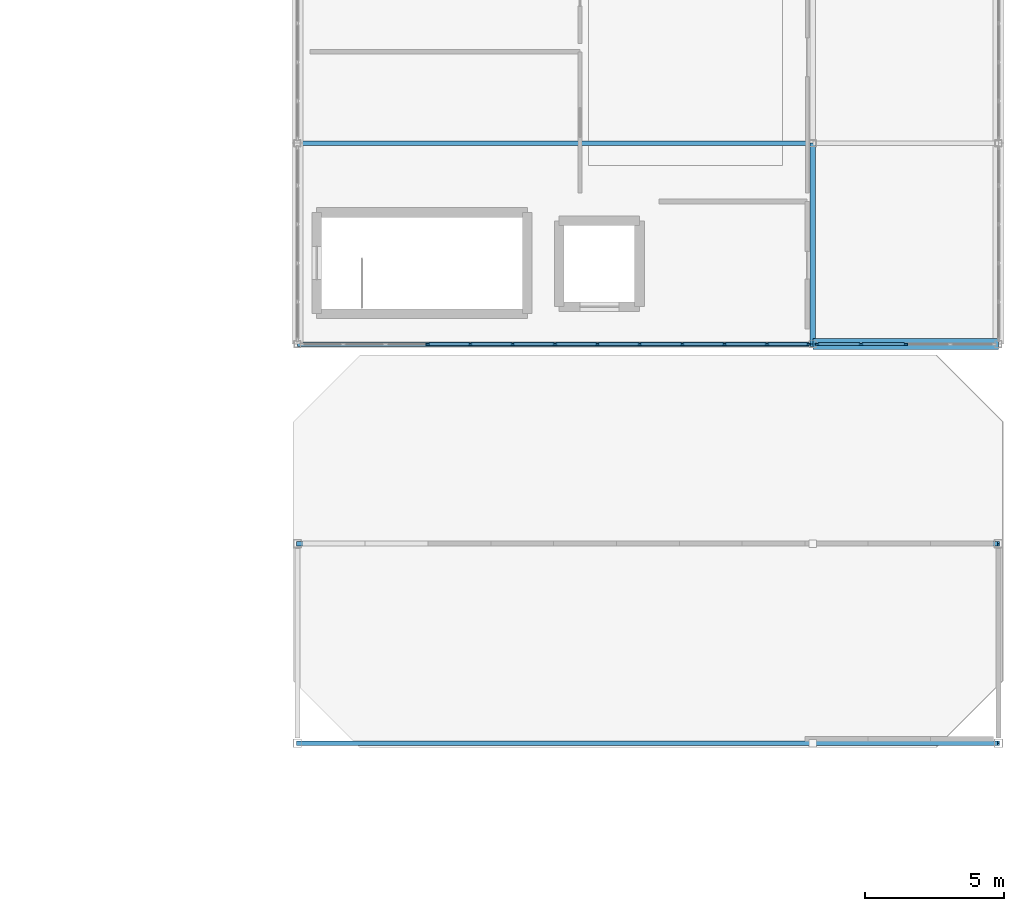
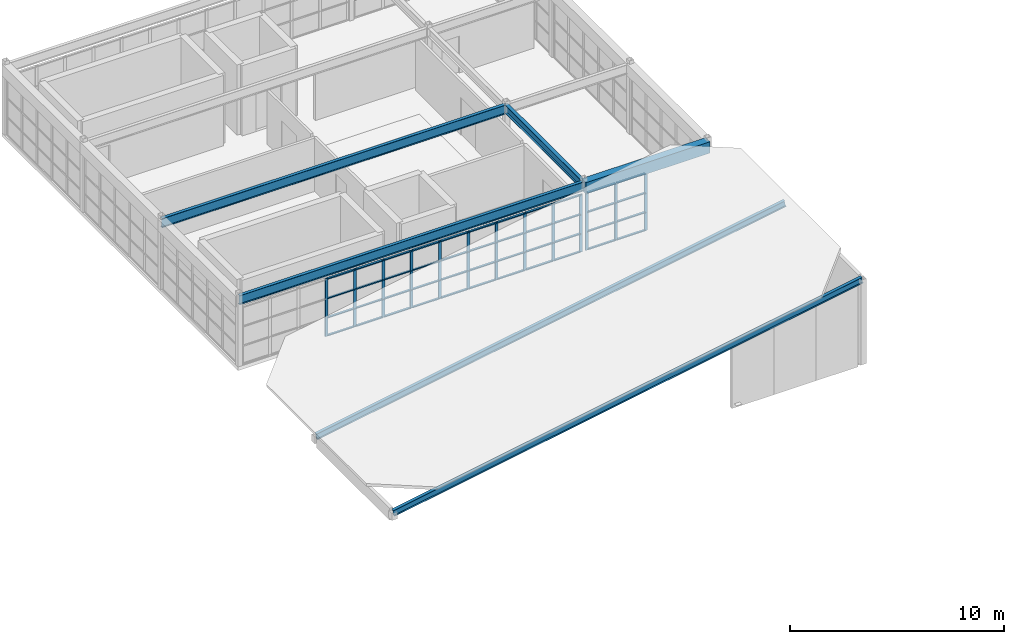
# One storey, part 10 of 19: 59 members, 4 beams, 2 elements without a shape of their own.
"""IFC4 building model written with IfcOpenShell, lengths in metres."""

from ifc_helpers import new_model, si_unit, direction, frame, origin, origin_2d, place, context, subcontext, project, spatial, rectangle, i_section, extrude, material, layer, layer_set, material_profile, profile_set, type_object, element, aggregate, save


model = new_model("IFC4")

# Units and contexts
model_context = context("Model", 3, precision=1e-05, world=origin(), true_north=direction((0.0, 1.0)))
body_context = subcontext(model_context, "Body", "Model", "MODEL_VIEW")
ifc_project = project(units=[si_unit("LENGTHUNIT", "METRE"), si_unit("AREAUNIT", "SQUARE_METRE"), si_unit("VOLUMEUNIT", "CUBIC_METRE"), si_unit("PLANEANGLEUNIT", "RADIAN"), si_unit("MASSUNIT", "GRAM", prefix="KILO")], contexts=[model_context])

# Site, building, storey
site_placement = place(None, origin())
site = spatial("IfcSite", under=ifc_project, at=site_placement, CompositionType="ELEMENT")
building_placement = place(site_placement, origin())
building = spatial("IfcBuilding", under=site, at=building_placement, Name="Candilejo Ridge Gondola Terminal", CompositionType="ELEMENT")
storey_placement = place(building_placement, frame((0.0, 0.0, 22.800048828125)))
storey = spatial("IfcBuildingStorey", under=building, at=storey_placement, Name="L05", CompositionType="ELEMENT", Elevation=22.800048828125)

# Curtain wall, members
ifc_material_1 = material(Name="Anodised aluminium AA 6063-T6", Category="aluminium")
ifc_layer_1 = layer(ifc_material_1, 0.169921875)
ifc_layer_set_1 = layer_set([ifc_layer_1], Name="ARC-CW-TOWER-3000-1835X329")
curtain_wall_type_1 = type_object("IfcCurtainWallType", Name="ARC-CW-TOWER-3000-1835X329", PredefinedType="NOTDEFINED", material=ifc_layer_set_1)
curtain_wall_1_placement = place(storey_placement, origin())
curtain_wall_1 = element("IfcCurtainWall", 1, at=curtain_wall_1_placement, inside=storey, type_object=curtain_wall_type_1, Name="Curtain wall V5 L05-232", PredefinedType="NOTDEFINED")
ifc_material_2 = material(Name="Anodised aluminium AA 6063-T6", Category="aluminium")
ifc_material_profile_1 = material_profile(ifc_material_2, rectangle(XDim=0.06494140625, YDim=0.14990234375, at=origin_2d()))
ifc_profile_set_1 = profile_set([ifc_material_profile_1], Name="Anodised aluminium AA 6063-T6")
member_type_1 = type_object("IfcMemberType", Name="ARC-CW-MULLION-150", PredefinedType="MULLION", material=ifc_profile_set_1)
member_1_placement = place(storey_placement, frame((154.71240234375, 99.050048828125, 0.0), z_axis=(0.0, 0.0, 1.0), x_axis=(0.0, 1.0, 0.0)))
member_1 = element("IfcMember", 2, at=member_1_placement, type_object=member_type_1, Name="CW-183X32 mullion 4", PredefinedType="MULLION", context=body_context, shape_type="SweptSolid", body=[
    extrude(rectangle(XDim=0.06494140625, YDim=0.14990234375, at=origin_2d()), origin(), (0.0, 0.0, 1.0), 3.2900390625),
])
member_2_placement = place(storey_placement, frame((156.24169921875, 99.050048828125, 0.0), z_axis=(0.0, 0.0, 1.0), x_axis=(0.0, 1.0, 0.0)))
member_2 = element("IfcMember", 3, at=member_2_placement, type_object=member_type_1, Name="CW-183X32 mullion 5", PredefinedType="MULLION", context=body_context, shape_type="SweptSolid", body=[
    extrude(rectangle(XDim=0.06494140625, YDim=0.14990234375, at=origin_2d()), origin(), (0.0, 0.0, 1.0), 3.2900390625),
])
member_3_placement = place(storey_placement, frame((157.770751953125, 99.050048828125, 0.0), z_axis=(0.0, 0.0, 1.0), x_axis=(0.0, 1.0, 0.0)))
member_3 = element("IfcMember", 4, at=member_3_placement, type_object=member_type_1, Name="CW-183X32 mullion 6", PredefinedType="MULLION", context=body_context, shape_type="SweptSolid", body=[
    extrude(rectangle(XDim=0.06494140625, YDim=0.14990234375, at=origin_2d()), origin(), (0.0, 0.0, 1.0), 3.2900390625),
])
member_4_placement = place(storey_placement, frame((159.300048828125, 99.050048828125, 0.0), z_axis=(0.0, 0.0, 1.0), x_axis=(0.0, 1.0, 0.0)))
member_4 = element("IfcMember", 5, at=member_4_placement, type_object=member_type_1, Name="CW-183X32 mullion 7", PredefinedType="MULLION", context=body_context, shape_type="SweptSolid", body=[
    extrude(rectangle(XDim=0.06494140625, YDim=0.14990234375, at=origin_2d()), origin(), (0.0, 0.0, 1.0), 3.2900390625),
])
member_5_placement = place(storey_placement, frame((160.8291015625, 99.050048828125, 0.0), z_axis=(0.0, 0.0, 1.0), x_axis=(0.0, 1.0, 0.0)))
member_5 = element("IfcMember", 6, at=member_5_placement, type_object=member_type_1, Name="CW-183X32 mullion 8", PredefinedType="MULLION", context=body_context, shape_type="SweptSolid", body=[
    extrude(rectangle(XDim=0.06494140625, YDim=0.14990234375, at=origin_2d()), origin(), (0.0, 0.0, 1.0), 3.2900390625),
])
member_6_placement = place(storey_placement, frame((162.3583984375, 99.050048828125, 0.0), z_axis=(0.0, 0.0, 1.0), x_axis=(0.0, 1.0, 0.0)))
member_6 = element("IfcMember", 7, at=member_6_placement, type_object=member_type_1, Name="CW-183X32 mullion 9", PredefinedType="MULLION", context=body_context, shape_type="SweptSolid", body=[
    extrude(rectangle(XDim=0.06494140625, YDim=0.14990234375, at=origin_2d()), origin(), (0.0, 0.0, 1.0), 3.2900390625),
])
member_7_placement = place(storey_placement, frame((163.887451171875, 99.050048828125, 0.0), z_axis=(0.0, 0.0, 1.0), x_axis=(0.0, 1.0, 0.0)))
member_7 = element("IfcMember", 8, at=member_7_placement, type_object=member_type_1, Name="CW-183X32 mullion 10", PredefinedType="MULLION", context=body_context, shape_type="SweptSolid", body=[
    extrude(rectangle(XDim=0.06494140625, YDim=0.14990234375, at=origin_2d()), origin(), (0.0, 0.0, 1.0), 3.2900390625),
])
member_8_placement = place(storey_placement, frame((165.416748046875, 99.050048828125, 0.0), z_axis=(0.0, 0.0, 1.0), x_axis=(0.0, 1.0, 0.0)))
member_8 = element("IfcMember", 9, at=member_8_placement, type_object=member_type_1, Name="CW-183X32 mullion 11", PredefinedType="MULLION", context=body_context, shape_type="SweptSolid", body=[
    extrude(rectangle(XDim=0.06494140625, YDim=0.14990234375, at=origin_2d()), origin(), (0.0, 0.0, 1.0), 3.2900390625),
])
member_9_placement = place(storey_placement, frame((166.94580078125, 99.050048828125, 0.0), z_axis=(0.0, 0.0, 1.0), x_axis=(0.0, 1.0, 0.0)))
member_9 = element("IfcMember", 10, at=member_9_placement, type_object=member_type_1, Name="CW-183X32 mullion 12", PredefinedType="MULLION", context=body_context, shape_type="SweptSolid", body=[
    extrude(rectangle(XDim=0.06494140625, YDim=0.14990234375, at=origin_2d()), origin(), (0.0, 0.0, 1.0), 3.2900390625),
])
member_10_placement = place(storey_placement, frame((168.4423828125, 99.050048828125, 0.0), z_axis=(0.0, 0.0, 1.0), x_axis=(0.0, 1.0, 0.0)))
member_10 = element("IfcMember", 11, at=member_10_placement, type_object=member_type_1, Name="CW-183X32 mullion 13", PredefinedType="MULLION", context=body_context, shape_type="SweptSolid", body=[
    extrude(rectangle(XDim=0.06494140625, YDim=0.14990234375, at=origin_2d()), origin(), (0.0, 0.0, 1.0), 3.2900390625),
])

ifc_material_3 = material(Name="Anodised aluminium AA 6063-T6", Category="aluminium")
ifc_layer_2 = layer(ifc_material_3, 0.169921875)
ifc_layer_set_2 = layer_set([ifc_layer_2], Name="ARC-CW-TOWER-3000-645X329")
curtain_wall_type_2 = type_object("IfcCurtainWallType", Name="ARC-CW-TOWER-3000-645X329", PredefinedType="NOTDEFINED", material=ifc_layer_set_2)
curtain_wall_2_placement = place(storey_placement, origin())
curtain_wall_2 = element("IfcCurtainWall", 12, at=curtain_wall_2_placement, inside=storey, type_object=curtain_wall_type_2, Name="Curtain wall V5 L05-234", PredefinedType="NOTDEFINED")
member_11_placement = place(storey_placement, frame((168.757568359375, 99.050048828125, 0.0), z_axis=(0.0, 0.0, 1.0), x_axis=(0.0, 1.0, 0.0)))
member_11 = element("IfcMember", 13, at=member_11_placement, type_object=member_type_1, Name="CW-64X32 mullion 1", PredefinedType="MULLION", context=body_context, shape_type="SweptSolid", body=[
    extrude(rectangle(XDim=0.06494140625, YDim=0.14990234375, at=origin_2d()), origin(), (0.0, 0.0, 1.0), 3.2900390625),
])
member_12_placement = place(storey_placement, frame((170.33740234375, 99.050048828125, 0.0), z_axis=(0.0, 0.0, 1.0), x_axis=(0.0, 1.0, 0.0)))
member_12 = element("IfcMember", 14, at=member_12_placement, type_object=member_type_1, Name="CW-64X32 mullion 2", PredefinedType="MULLION", context=body_context, shape_type="SweptSolid", body=[
    extrude(rectangle(XDim=0.06494140625, YDim=0.14990234375, at=origin_2d()), origin(), (0.0, 0.0, 1.0), 3.2900390625),
])
member_13_placement = place(storey_placement, frame((171.949951171875, 99.050048828125, 0.0), z_axis=(0.0, 0.0, 1.0), x_axis=(0.0, 1.0, 0.0)))
member_13 = element("IfcMember", 15, at=member_13_placement, type_object=member_type_1, Name="CW-64X32 mullion 3", PredefinedType="MULLION", context=body_context, shape_type="SweptSolid", body=[
    extrude(rectangle(XDim=0.06494140625, YDim=0.14990234375, at=origin_2d()), origin(), (0.0, 0.0, 1.0), 3.2900390625),
])

# Member
ifc_material_4 = material(Name="Anodised aluminium AA 6063-T6", Category="aluminium")
ifc_material_profile_2 = material_profile(ifc_material_4, rectangle(XDim=0.110107421875, YDim=0.06005859375, at=origin_2d()))
ifc_profile_set_2 = profile_set([ifc_material_profile_2], Name="Anodised aluminium AA 6063-T6")
member_type_2 = type_object("IfcMemberType", Name="ARC-CW-TRANSOM-110", PredefinedType="USERDEFINED", material=ifc_profile_set_2)
member_14_placement = place(storey_placement, frame((154.7451171875, 99.050048828125, 0.030029296875), z_axis=(1.0, 0.0, 0.0), x_axis=(0.0, 1.0, 0.0)))
member_14 = element("IfcMember", 16, at=member_14_placement, type_object=member_type_2, Name="CW-183X32 transom 4.1", ObjectType="TRANSOM", PredefinedType="USERDEFINED", context=body_context, shape_type="SweptSolid", body=[
    extrude(rectangle(XDim=0.110107421875, YDim=0.06005859375, at=origin_2d()), origin(), (0.0, 0.0, 1.0), 1.464111328125),
])

member_15_placement = place(storey_placement, frame((154.7451171875, 99.050048828125, 1.050048828125), z_axis=(1.0, 0.0, 0.0), x_axis=(0.0, 1.0, 0.0)))
member_15 = element("IfcMember", 17, at=member_15_placement, type_object=member_type_2, Name="CW-183X32 transom 4.2", ObjectType="TRANSOM", PredefinedType="USERDEFINED", context=body_context, shape_type="SweptSolid", body=[
    extrude(rectangle(XDim=0.110107421875, YDim=0.06005859375, at=origin_2d()), origin(), (0.0, 0.0, 1.0), 1.464111328125),
])

member_16_placement = place(storey_placement, frame((154.7451171875, 99.050048828125, 2.14990234375), z_axis=(1.0, 0.0, 0.0), x_axis=(0.0, 1.0, 0.0)))
member_16 = element("IfcMember", 18, at=member_16_placement, type_object=member_type_2, Name="CW-183X32 transom 4.3", ObjectType="TRANSOM", PredefinedType="USERDEFINED", context=body_context, shape_type="SweptSolid", body=[
    extrude(rectangle(XDim=0.110107421875, YDim=0.06005859375, at=origin_2d()), origin(), (0.0, 0.0, 1.0), 1.464111328125),
])

member_17_placement = place(storey_placement, frame((154.7451171875, 99.050048828125, 3.260009765625), z_axis=(1.0, 0.0, 0.0), x_axis=(0.0, 1.0, 0.0)))
member_17 = element("IfcMember", 19, at=member_17_placement, type_object=member_type_2, Name="CW-183X32 transom 4.4", ObjectType="TRANSOM", PredefinedType="USERDEFINED", context=body_context, shape_type="SweptSolid", body=[
    extrude(rectangle(XDim=0.110107421875, YDim=0.06005859375, at=origin_2d()), origin(), (0.0, 0.0, 1.0), 1.464111328125),
])

member_18_placement = place(storey_placement, frame((156.274169921875, 99.050048828125, 0.030029296875), z_axis=(1.0, 0.0, 0.0), x_axis=(0.0, 1.0, 0.0)))
member_18 = element("IfcMember", 20, at=member_18_placement, type_object=member_type_2, Name="CW-183X32 transom 5.1", ObjectType="TRANSOM", PredefinedType="USERDEFINED", context=body_context, shape_type="SweptSolid", body=[
    extrude(rectangle(XDim=0.110107421875, YDim=0.06005859375, at=origin_2d()), origin(), (0.0, 0.0, 1.0), 1.464111328125),
])

member_19_placement = place(storey_placement, frame((156.274169921875, 99.050048828125, 1.050048828125), z_axis=(1.0, 0.0, 0.0), x_axis=(0.0, 1.0, 0.0)))
member_19 = element("IfcMember", 21, at=member_19_placement, type_object=member_type_2, Name="CW-183X32 transom 5.2", ObjectType="TRANSOM", PredefinedType="USERDEFINED", context=body_context, shape_type="SweptSolid", body=[
    extrude(rectangle(XDim=0.110107421875, YDim=0.06005859375, at=origin_2d()), origin(), (0.0, 0.0, 1.0), 1.464111328125),
])

member_20_placement = place(storey_placement, frame((156.274169921875, 99.050048828125, 2.14990234375), z_axis=(1.0, 0.0, 0.0), x_axis=(0.0, 1.0, 0.0)))
member_20 = element("IfcMember", 22, at=member_20_placement, type_object=member_type_2, Name="CW-183X32 transom 5.3", ObjectType="TRANSOM", PredefinedType="USERDEFINED", context=body_context, shape_type="SweptSolid", body=[
    extrude(rectangle(XDim=0.110107421875, YDim=0.06005859375, at=origin_2d()), origin(), (0.0, 0.0, 1.0), 1.464111328125),
])

member_21_placement = place(storey_placement, frame((156.274169921875, 99.050048828125, 3.260009765625), z_axis=(1.0, 0.0, 0.0), x_axis=(0.0, 1.0, 0.0)))
member_21 = element("IfcMember", 23, at=member_21_placement, type_object=member_type_2, Name="CW-183X32 transom 5.4", ObjectType="TRANSOM", PredefinedType="USERDEFINED", context=body_context, shape_type="SweptSolid", body=[
    extrude(rectangle(XDim=0.110107421875, YDim=0.06005859375, at=origin_2d()), origin(), (0.0, 0.0, 1.0), 1.464111328125),
])

member_22_placement = place(storey_placement, frame((157.80322265625, 99.050048828125, 0.030029296875), z_axis=(1.0, 0.0, 0.0), x_axis=(0.0, 1.0, 0.0)))
member_22 = element("IfcMember", 24, at=member_22_placement, type_object=member_type_2, Name="CW-183X32 transom 6.1", ObjectType="TRANSOM", PredefinedType="USERDEFINED", context=body_context, shape_type="SweptSolid", body=[
    extrude(rectangle(XDim=0.110107421875, YDim=0.06005859375, at=origin_2d()), origin(), (0.0, 0.0, 1.0), 1.46435546875),
])

member_23_placement = place(storey_placement, frame((157.80322265625, 99.050048828125, 1.050048828125), z_axis=(1.0, 0.0, 0.0), x_axis=(0.0, 1.0, 0.0)))
member_23 = element("IfcMember", 25, at=member_23_placement, type_object=member_type_2, Name="CW-183X32 transom 6.2", ObjectType="TRANSOM", PredefinedType="USERDEFINED", context=body_context, shape_type="SweptSolid", body=[
    extrude(rectangle(XDim=0.110107421875, YDim=0.06005859375, at=origin_2d()), origin(), (0.0, 0.0, 1.0), 1.46435546875),
])

member_24_placement = place(storey_placement, frame((157.80322265625, 99.050048828125, 2.14990234375), z_axis=(1.0, 0.0, 0.0), x_axis=(0.0, 1.0, 0.0)))
member_24 = element("IfcMember", 26, at=member_24_placement, type_object=member_type_2, Name="CW-183X32 transom 6.3", ObjectType="TRANSOM", PredefinedType="USERDEFINED", context=body_context, shape_type="SweptSolid", body=[
    extrude(rectangle(XDim=0.110107421875, YDim=0.06005859375, at=origin_2d()), origin(), (0.0, 0.0, 1.0), 1.46435546875),
])

member_25_placement = place(storey_placement, frame((157.80322265625, 99.050048828125, 3.260009765625), z_axis=(1.0, 0.0, 0.0), x_axis=(0.0, 1.0, 0.0)))
member_25 = element("IfcMember", 27, at=member_25_placement, type_object=member_type_2, Name="CW-183X32 transom 6.4", ObjectType="TRANSOM", PredefinedType="USERDEFINED", context=body_context, shape_type="SweptSolid", body=[
    extrude(rectangle(XDim=0.110107421875, YDim=0.06005859375, at=origin_2d()), origin(), (0.0, 0.0, 1.0), 1.46435546875),
])

member_26_placement = place(storey_placement, frame((159.33251953125, 99.050048828125, 0.030029296875), z_axis=(1.0, 0.0, 0.0), x_axis=(0.0, 1.0, 0.0)))
member_26 = element("IfcMember", 28, at=member_26_placement, type_object=member_type_2, Name="CW-183X32 transom 7.1", ObjectType="TRANSOM", PredefinedType="USERDEFINED", context=body_context, shape_type="SweptSolid", body=[
    extrude(rectangle(XDim=0.110107421875, YDim=0.06005859375, at=origin_2d()), origin(), (0.0, 0.0, 1.0), 1.464111328125),
])

member_27_placement = place(storey_placement, frame((159.33251953125, 99.050048828125, 1.050048828125), z_axis=(1.0, 0.0, 0.0), x_axis=(0.0, 1.0, 0.0)))
member_27 = element("IfcMember", 29, at=member_27_placement, type_object=member_type_2, Name="CW-183X32 transom 7.2", ObjectType="TRANSOM", PredefinedType="USERDEFINED", context=body_context, shape_type="SweptSolid", body=[
    extrude(rectangle(XDim=0.110107421875, YDim=0.06005859375, at=origin_2d()), origin(), (0.0, 0.0, 1.0), 1.464111328125),
])

member_28_placement = place(storey_placement, frame((159.33251953125, 99.050048828125, 2.14990234375), z_axis=(1.0, 0.0, 0.0), x_axis=(0.0, 1.0, 0.0)))
member_28 = element("IfcMember", 30, at=member_28_placement, type_object=member_type_2, Name="CW-183X32 transom 7.3", ObjectType="TRANSOM", PredefinedType="USERDEFINED", context=body_context, shape_type="SweptSolid", body=[
    extrude(rectangle(XDim=0.110107421875, YDim=0.06005859375, at=origin_2d()), origin(), (0.0, 0.0, 1.0), 1.464111328125),
])

member_29_placement = place(storey_placement, frame((159.33251953125, 99.050048828125, 3.260009765625), z_axis=(1.0, 0.0, 0.0), x_axis=(0.0, 1.0, 0.0)))
member_29 = element("IfcMember", 31, at=member_29_placement, type_object=member_type_2, Name="CW-183X32 transom 7.4", ObjectType="TRANSOM", PredefinedType="USERDEFINED", context=body_context, shape_type="SweptSolid", body=[
    extrude(rectangle(XDim=0.110107421875, YDim=0.06005859375, at=origin_2d()), origin(), (0.0, 0.0, 1.0), 1.464111328125),
])

member_30_placement = place(storey_placement, frame((160.861572265625, 99.050048828125, 0.030029296875), z_axis=(1.0, 0.0, 0.0), x_axis=(0.0, 1.0, 0.0)))
member_30 = element("IfcMember", 32, at=member_30_placement, type_object=member_type_2, Name="CW-183X32 transom 8.1", ObjectType="TRANSOM", PredefinedType="USERDEFINED", context=body_context, shape_type="SweptSolid", body=[
    extrude(rectangle(XDim=0.110107421875, YDim=0.06005859375, at=origin_2d()), origin(), (0.0, 0.0, 1.0), 1.46435546875),
])

member_31_placement = place(storey_placement, frame((160.861572265625, 99.050048828125, 1.050048828125), z_axis=(1.0, 0.0, 0.0), x_axis=(0.0, 1.0, 0.0)))
member_31 = element("IfcMember", 33, at=member_31_placement, type_object=member_type_2, Name="CW-183X32 transom 8.2", ObjectType="TRANSOM", PredefinedType="USERDEFINED", context=body_context, shape_type="SweptSolid", body=[
    extrude(rectangle(XDim=0.110107421875, YDim=0.06005859375, at=origin_2d()), origin(), (0.0, 0.0, 1.0), 1.46435546875),
])

member_32_placement = place(storey_placement, frame((160.861572265625, 99.050048828125, 2.14990234375), z_axis=(1.0, 0.0, 0.0), x_axis=(0.0, 1.0, 0.0)))
member_32 = element("IfcMember", 34, at=member_32_placement, type_object=member_type_2, Name="CW-183X32 transom 8.3", ObjectType="TRANSOM", PredefinedType="USERDEFINED", context=body_context, shape_type="SweptSolid", body=[
    extrude(rectangle(XDim=0.110107421875, YDim=0.06005859375, at=origin_2d()), origin(), (0.0, 0.0, 1.0), 1.46435546875),
])

member_33_placement = place(storey_placement, frame((160.861572265625, 99.050048828125, 3.260009765625), z_axis=(1.0, 0.0, 0.0), x_axis=(0.0, 1.0, 0.0)))
member_33 = element("IfcMember", 35, at=member_33_placement, type_object=member_type_2, Name="CW-183X32 transom 8.4", ObjectType="TRANSOM", PredefinedType="USERDEFINED", context=body_context, shape_type="SweptSolid", body=[
    extrude(rectangle(XDim=0.110107421875, YDim=0.06005859375, at=origin_2d()), origin(), (0.0, 0.0, 1.0), 1.46435546875),
])

member_34_placement = place(storey_placement, frame((162.390869140625, 99.050048828125, 0.030029296875), z_axis=(1.0, 0.0, 0.0), x_axis=(0.0, 1.0, 0.0)))
member_34 = element("IfcMember", 36, at=member_34_placement, type_object=member_type_2, Name="CW-183X32 transom 9.1", ObjectType="TRANSOM", PredefinedType="USERDEFINED", context=body_context, shape_type="SweptSolid", body=[
    extrude(rectangle(XDim=0.110107421875, YDim=0.06005859375, at=origin_2d()), origin(), (0.0, 0.0, 1.0), 1.464111328125),
])

member_35_placement = place(storey_placement, frame((162.390869140625, 99.050048828125, 1.050048828125), z_axis=(1.0, 0.0, 0.0), x_axis=(0.0, 1.0, 0.0)))
member_35 = element("IfcMember", 37, at=member_35_placement, type_object=member_type_2, Name="CW-183X32 transom 9.2", ObjectType="TRANSOM", PredefinedType="USERDEFINED", context=body_context, shape_type="SweptSolid", body=[
    extrude(rectangle(XDim=0.110107421875, YDim=0.06005859375, at=origin_2d()), origin(), (0.0, 0.0, 1.0), 1.464111328125),
])

member_36_placement = place(storey_placement, frame((162.390869140625, 99.050048828125, 2.14990234375), z_axis=(1.0, 0.0, 0.0), x_axis=(0.0, 1.0, 0.0)))
member_36 = element("IfcMember", 38, at=member_36_placement, type_object=member_type_2, Name="CW-183X32 transom 9.3", ObjectType="TRANSOM", PredefinedType="USERDEFINED", context=body_context, shape_type="SweptSolid", body=[
    extrude(rectangle(XDim=0.110107421875, YDim=0.06005859375, at=origin_2d()), origin(), (0.0, 0.0, 1.0), 1.464111328125),
])

member_37_placement = place(storey_placement, frame((162.390869140625, 99.050048828125, 3.260009765625), z_axis=(1.0, 0.0, 0.0), x_axis=(0.0, 1.0, 0.0)))
member_37 = element("IfcMember", 39, at=member_37_placement, type_object=member_type_2, Name="CW-183X32 transom 9.4", ObjectType="TRANSOM", PredefinedType="USERDEFINED", context=body_context, shape_type="SweptSolid", body=[
    extrude(rectangle(XDim=0.110107421875, YDim=0.06005859375, at=origin_2d()), origin(), (0.0, 0.0, 1.0), 1.464111328125),
])

member_38_placement = place(storey_placement, frame((163.919921875, 99.050048828125, 0.030029296875), z_axis=(1.0, 0.0, 0.0), x_axis=(0.0, 1.0, 0.0)))
member_38 = element("IfcMember", 40, at=member_38_placement, type_object=member_type_2, Name="CW-183X32 transom 10.1", ObjectType="TRANSOM", PredefinedType="USERDEFINED", context=body_context, shape_type="SweptSolid", body=[
    extrude(rectangle(XDim=0.110107421875, YDim=0.06005859375, at=origin_2d()), origin(), (0.0, 0.0, 1.0), 1.46435546875),
])

member_39_placement = place(storey_placement, frame((163.919921875, 99.050048828125, 1.050048828125), z_axis=(1.0, 0.0, 0.0), x_axis=(0.0, 1.0, 0.0)))
member_39 = element("IfcMember", 41, at=member_39_placement, type_object=member_type_2, Name="CW-183X32 transom 10.2", ObjectType="TRANSOM", PredefinedType="USERDEFINED", context=body_context, shape_type="SweptSolid", body=[
    extrude(rectangle(XDim=0.110107421875, YDim=0.06005859375, at=origin_2d()), origin(), (0.0, 0.0, 1.0), 1.46435546875),
])

member_40_placement = place(storey_placement, frame((163.919921875, 99.050048828125, 2.14990234375), z_axis=(1.0, 0.0, 0.0), x_axis=(0.0, 1.0, 0.0)))
member_40 = element("IfcMember", 42, at=member_40_placement, type_object=member_type_2, Name="CW-183X32 transom 10.3", ObjectType="TRANSOM", PredefinedType="USERDEFINED", context=body_context, shape_type="SweptSolid", body=[
    extrude(rectangle(XDim=0.110107421875, YDim=0.06005859375, at=origin_2d()), origin(), (0.0, 0.0, 1.0), 1.46435546875),
])

member_41_placement = place(storey_placement, frame((163.919921875, 99.050048828125, 3.260009765625), z_axis=(1.0, 0.0, 0.0), x_axis=(0.0, 1.0, 0.0)))
member_41 = element("IfcMember", 43, at=member_41_placement, type_object=member_type_2, Name="CW-183X32 transom 10.4", ObjectType="TRANSOM", PredefinedType="USERDEFINED", context=body_context, shape_type="SweptSolid", body=[
    extrude(rectangle(XDim=0.110107421875, YDim=0.06005859375, at=origin_2d()), origin(), (0.0, 0.0, 1.0), 1.46435546875),
])

member_42_placement = place(storey_placement, frame((165.44921875, 99.050048828125, 0.030029296875), z_axis=(1.0, 0.0, 0.0), x_axis=(0.0, 1.0, 0.0)))
member_42 = element("IfcMember", 44, at=member_42_placement, type_object=member_type_2, Name="CW-183X32 transom 11.1", ObjectType="TRANSOM", PredefinedType="USERDEFINED", context=body_context, shape_type="SweptSolid", body=[
    extrude(rectangle(XDim=0.110107421875, YDim=0.06005859375, at=origin_2d()), origin(), (0.0, 0.0, 1.0), 1.464111328125),
])

member_43_placement = place(storey_placement, frame((165.44921875, 99.050048828125, 1.050048828125), z_axis=(1.0, 0.0, 0.0), x_axis=(0.0, 1.0, 0.0)))
member_43 = element("IfcMember", 45, at=member_43_placement, type_object=member_type_2, Name="CW-183X32 transom 11.2", ObjectType="TRANSOM", PredefinedType="USERDEFINED", context=body_context, shape_type="SweptSolid", body=[
    extrude(rectangle(XDim=0.110107421875, YDim=0.06005859375, at=origin_2d()), origin(), (0.0, 0.0, 1.0), 1.464111328125),
])

member_44_placement = place(storey_placement, frame((165.44921875, 99.050048828125, 2.14990234375), z_axis=(1.0, 0.0, 0.0), x_axis=(0.0, 1.0, 0.0)))
member_44 = element("IfcMember", 46, at=member_44_placement, type_object=member_type_2, Name="CW-183X32 transom 11.3", ObjectType="TRANSOM", PredefinedType="USERDEFINED", context=body_context, shape_type="SweptSolid", body=[
    extrude(rectangle(XDim=0.110107421875, YDim=0.06005859375, at=origin_2d()), origin(), (0.0, 0.0, 1.0), 1.464111328125),
])

member_45_placement = place(storey_placement, frame((165.44921875, 99.050048828125, 3.260009765625), z_axis=(1.0, 0.0, 0.0), x_axis=(0.0, 1.0, 0.0)))
member_45 = element("IfcMember", 47, at=member_45_placement, type_object=member_type_2, Name="CW-183X32 transom 11.4", ObjectType="TRANSOM", PredefinedType="USERDEFINED", context=body_context, shape_type="SweptSolid", body=[
    extrude(rectangle(XDim=0.110107421875, YDim=0.06005859375, at=origin_2d()), origin(), (0.0, 0.0, 1.0), 1.464111328125),
])

member_46_placement = place(storey_placement, frame((166.978271484375, 99.050048828125, 0.030029296875), z_axis=(1.0, 0.0, 0.0), x_axis=(0.0, 1.0, 0.0)))
member_46 = element("IfcMember", 48, at=member_46_placement, type_object=member_type_2, Name="CW-183X32 transom 12.1", ObjectType="TRANSOM", PredefinedType="USERDEFINED", context=body_context, shape_type="SweptSolid", body=[
    extrude(rectangle(XDim=0.110107421875, YDim=0.06005859375, at=origin_2d()), origin(), (0.0, 0.0, 1.0), 1.431640625),
])

member_47_placement = place(storey_placement, frame((166.978271484375, 99.050048828125, 1.050048828125), z_axis=(1.0, 0.0, 0.0), x_axis=(0.0, 1.0, 0.0)))
member_47 = element("IfcMember", 49, at=member_47_placement, type_object=member_type_2, Name="CW-183X32 transom 12.2", ObjectType="TRANSOM", PredefinedType="USERDEFINED", context=body_context, shape_type="SweptSolid", body=[
    extrude(rectangle(XDim=0.110107421875, YDim=0.06005859375, at=origin_2d()), origin(), (0.0, 0.0, 1.0), 1.431640625),
])

member_48_placement = place(storey_placement, frame((166.978271484375, 99.050048828125, 2.14990234375), z_axis=(1.0, 0.0, 0.0), x_axis=(0.0, 1.0, 0.0)))
member_48 = element("IfcMember", 50, at=member_48_placement, type_object=member_type_2, Name="CW-183X32 transom 12.3", ObjectType="TRANSOM", PredefinedType="USERDEFINED", context=body_context, shape_type="SweptSolid", body=[
    extrude(rectangle(XDim=0.110107421875, YDim=0.06005859375, at=origin_2d()), origin(), (0.0, 0.0, 1.0), 1.431640625),
])

member_49_placement = place(storey_placement, frame((166.978271484375, 99.050048828125, 3.260009765625), z_axis=(1.0, 0.0, 0.0), x_axis=(0.0, 1.0, 0.0)))
member_49 = element("IfcMember", 51, at=member_49_placement, type_object=member_type_2, Name="CW-183X32 transom 12.4", ObjectType="TRANSOM", PredefinedType="USERDEFINED", context=body_context, shape_type="SweptSolid", body=[
    extrude(rectangle(XDim=0.110107421875, YDim=0.06005859375, at=origin_2d()), origin(), (0.0, 0.0, 1.0), 1.431640625),
])

aggregate(curtain_wall_1, [member_1, member_2, member_3, member_4, member_5, member_6, member_7, member_8, member_9, member_10, member_14, member_15, member_16, member_17, member_18, member_19, member_20, member_21, member_22, member_23, member_24, member_25, member_26, member_27, member_28, member_29, member_30, member_31, member_32, member_33, member_34, member_35, member_36, member_37, member_38, member_39, member_40, member_41, member_42, member_43, member_44, member_45, member_46, member_47, member_48, member_49])

member_50_placement = place(storey_placement, frame((168.7900390625, 99.050048828125, 0.030029296875), z_axis=(1.0, 0.0, 0.0), x_axis=(0.0, 1.0, 0.0)))
member_50 = element("IfcMember", 52, at=member_50_placement, type_object=member_type_2, Name="CW-64X32 transom 1.1", ObjectType="TRANSOM", PredefinedType="USERDEFINED", context=body_context, shape_type="SweptSolid", body=[
    extrude(rectangle(XDim=0.110107421875, YDim=0.06005859375, at=origin_2d()), origin(), (0.0, 0.0, 1.0), 1.514892578125),
])

member_51_placement = place(storey_placement, frame((168.7900390625, 99.050048828125, 1.050048828125), z_axis=(1.0, 0.0, 0.0), x_axis=(0.0, 1.0, 0.0)))
member_51 = element("IfcMember", 53, at=member_51_placement, type_object=member_type_2, Name="CW-64X32 transom 1.2", ObjectType="TRANSOM", PredefinedType="USERDEFINED", context=body_context, shape_type="SweptSolid", body=[
    extrude(rectangle(XDim=0.110107421875, YDim=0.06005859375, at=origin_2d()), origin(), (0.0, 0.0, 1.0), 1.514892578125),
])

member_52_placement = place(storey_placement, frame((168.7900390625, 99.050048828125, 2.14990234375), z_axis=(1.0, 0.0, 0.0), x_axis=(0.0, 1.0, 0.0)))
member_52 = element("IfcMember", 54, at=member_52_placement, type_object=member_type_2, Name="CW-64X32 transom 1.3", ObjectType="TRANSOM", PredefinedType="USERDEFINED", context=body_context, shape_type="SweptSolid", body=[
    extrude(rectangle(XDim=0.110107421875, YDim=0.06005859375, at=origin_2d()), origin(), (0.0, 0.0, 1.0), 1.514892578125),
])

member_53_placement = place(storey_placement, frame((168.7900390625, 99.050048828125, 3.260009765625), z_axis=(1.0, 0.0, 0.0), x_axis=(0.0, 1.0, 0.0)))
member_53 = element("IfcMember", 55, at=member_53_placement, type_object=member_type_2, Name="CW-64X32 transom 1.4", ObjectType="TRANSOM", PredefinedType="USERDEFINED", context=body_context, shape_type="SweptSolid", body=[
    extrude(rectangle(XDim=0.110107421875, YDim=0.06005859375, at=origin_2d()), origin(), (0.0, 0.0, 1.0), 1.514892578125),
])

member_54_placement = place(storey_placement, frame((170.3701171875, 99.050048828125, 0.030029296875), z_axis=(1.0, 0.0, 0.0), x_axis=(0.0, 1.0, 0.0)))
member_54 = element("IfcMember", 56, at=member_54_placement, type_object=member_type_2, Name="CW-64X32 transom 2.1", ObjectType="TRANSOM", PredefinedType="USERDEFINED", context=body_context, shape_type="SweptSolid", body=[
    extrude(rectangle(XDim=0.110107421875, YDim=0.06005859375, at=origin_2d()), origin(), (0.0, 0.0, 1.0), 1.54736328125),
])

member_55_placement = place(storey_placement, frame((170.3701171875, 99.050048828125, 1.050048828125), z_axis=(1.0, 0.0, 0.0), x_axis=(0.0, 1.0, 0.0)))
member_55 = element("IfcMember", 57, at=member_55_placement, type_object=member_type_2, Name="CW-64X32 transom 2.2", ObjectType="TRANSOM", PredefinedType="USERDEFINED", context=body_context, shape_type="SweptSolid", body=[
    extrude(rectangle(XDim=0.110107421875, YDim=0.06005859375, at=origin_2d()), origin(), (0.0, 0.0, 1.0), 1.54736328125),
])

member_56_placement = place(storey_placement, frame((170.3701171875, 99.050048828125, 2.14990234375), z_axis=(1.0, 0.0, 0.0), x_axis=(0.0, 1.0, 0.0)))
member_56 = element("IfcMember", 58, at=member_56_placement, type_object=member_type_2, Name="CW-64X32 transom 2.3", ObjectType="TRANSOM", PredefinedType="USERDEFINED", context=body_context, shape_type="SweptSolid", body=[
    extrude(rectangle(XDim=0.110107421875, YDim=0.06005859375, at=origin_2d()), origin(), (0.0, 0.0, 1.0), 1.54736328125),
])

member_57_placement = place(storey_placement, frame((170.3701171875, 99.050048828125, 3.260009765625), z_axis=(1.0, 0.0, 0.0), x_axis=(0.0, 1.0, 0.0)))
member_57 = element("IfcMember", 59, at=member_57_placement, type_object=member_type_2, Name="CW-64X32 transom 2.4", ObjectType="TRANSOM", PredefinedType="USERDEFINED", context=body_context, shape_type="SweptSolid", body=[
    extrude(rectangle(XDim=0.110107421875, YDim=0.06005859375, at=origin_2d()), origin(), (0.0, 0.0, 1.0), 1.54736328125),
])

aggregate(curtain_wall_2, [member_11, member_12, member_13, member_50, member_51, member_52, member_53, member_54, member_55, member_56, member_57])

# Beams
ifc_material_5 = material(Name="Steel ASTM A992 Grade 50", Category="steel")
ifc_material_profile_3 = material_profile(ifc_material_5, i_section(OverallWidth=0.194091796875, OverallDepth=0.468994140625, WebThickness=0.0126953125, FlangeThickness=0.0205078125, at=origin_2d()))
ifc_profile_set_3 = profile_set([ifc_material_profile_3], Name="Steel ASTM A992 Grade 50")
beam_type_1 = type_object("IfcBeamType", Name="STR-BM-W460X106", PredefinedType="BEAM", material=ifc_profile_set_3)
beam_1_placement = place(storey_placement, frame((168.60009765625, 99.050048828125, 3.765380859375), z_axis=(0.0, 1.0, 0.0), x_axis=(-1.0, 0.0, 0.0)))
element("IfcBeam", 60, at=beam_1_placement, inside=storey, type_object=beam_type_1, Name="Beam Y V5 L05 Y17-Y18@X25", PredefinedType="BEAM", context=body_context, shape_type="SweptSolid", body=[
    extrude(i_section(OverallWidth=0.194091796875, OverallDepth=0.468994140625, WebThickness=0.0126953125, FlangeThickness=0.0205078125, at=origin_2d()), origin(), (0.0, 0.0, 1.0), 7.25),
])
ifc_material_6 = material(Name="Steel ASTM A992 Grade 50", Category="steel")
ifc_material_profile_4 = material_profile(ifc_material_6, i_section(OverallWidth=0.166015625, OverallDepth=0.529052734375, WebThickness=0.009765625, FlangeThickness=0.013671875, at=origin_2d()))
ifc_profile_set_4 = profile_set([ifc_material_profile_4], Name="Steel ASTM A992 Grade 50")
beam_type_2 = type_object("IfcBeamType", Name="STR-BM-W530X74", PredefinedType="BEAM", material=ifc_profile_set_4)
for number, where, z_axis, x_axis, name in (
    (61, (150.0, 99.050048828125, 3.7353515625), (1.0, 0.0, 0.0), (0.0, 1.0, 0.0), "Beam X V5 L05 X23-X25@Y17"),
    (62, (150.0, 106.300048828125, 3.7353515625), (1.0, 0.0, 0.0), (0.0, 1.0, 0.0), "Beam X V5 L05 X23-X25@Y18"),
):
    element("IfcBeam", number, at=place(storey_placement, frame(where, z_axis=z_axis, x_axis=x_axis)), inside=storey, type_object=beam_type_2, Name=name, PredefinedType="BEAM", context=body_context, shape_type="SweptSolid", body=[
        extrude(i_section(OverallWidth=0.166015625, OverallDepth=0.529052734375, WebThickness=0.009765625, FlangeThickness=0.013671875, at=origin_2d()), origin(), (0.0, 0.0, 1.0), 18.60009765625),
    ])

# Members
ifc_material_7 = material(Name="Steel ASTM A992 Grade 50", Category="steel")
ifc_material_profile_5 = material_profile(ifc_material_7, i_section(OverallWidth=0.1708984375, OverallDepth=0.35498046875, WebThickness=0.007080078125, FlangeThickness=0.01171875, at=origin_2d()))
ifc_profile_set_5 = profile_set([ifc_material_profile_5], Name="Steel ASTM A992 Grade 50")
member_type_3 = type_object("IfcMemberType", Name="STR-RAF-W360", PredefinedType="RAFTER", material=ifc_profile_set_5)
for number, where, z_axis, x_axis, name in (
    (63, (150.0, 84.64990234375, 0.301025390625), (0.984807084557, 0.0, 0.17365196862), (0.0, 1.0, 0.0), "Shed roof rafter RF-V5-MID2-01"),
    (64, (150.0, 91.85009765625, 0.301025390625), (0.984807084557, 0.0, 0.17365196862), (0.0, 1.0, 0.0), "Shed roof rafter RF-V5-MID2-02"),
):
    element("IfcMember", number, at=place(storey_placement, frame(where, z_axis=z_axis, x_axis=x_axis)), inside=storey, type_object=member_type_3, Name=name, PredefinedType="RAFTER", context=body_context, shape_type="SweptSolid", body=[
        extrude(i_section(OverallWidth=0.1708984375, OverallDepth=0.35498046875, WebThickness=0.007080078125, FlangeThickness=0.01171875, at=origin_2d()), origin(), (0.0, 0.0, 1.0), 25.6904296875),
    ])

# Beam
ifc_material_8 = material(Name="Concrete f'c 35 MPa (C35/45)", Category="concrete")
ifc_material_profile_6 = material_profile(ifc_material_8, rectangle(XDim=0.39990234375, YDim=0.64990234375, at=origin_2d()))
ifc_profile_set_6 = profile_set([ifc_material_profile_6], Name="Concrete f'c 35 MPa (C35/45)")
beam_type_3 = type_object("IfcBeamType", Name="STR-SPN-RC400X650", PredefinedType="SPANDREL", material=ifc_profile_set_6)
beam_2_placement = place(storey_placement, frame((168.60009765625, 99.050048828125, 3.675048828125), z_axis=(1.0, 0.0, 0.0), x_axis=(0.0, 1.0, 0.0)))
element("IfcBeam", 65, at=beam_2_placement, inside=storey, type_object=beam_type_3, Name="Beam X V5 L05 X25-X27@Y17", PredefinedType="SPANDREL", context=body_context, shape_type="SweptSolid", body=[
    extrude(rectangle(XDim=0.39990234375, YDim=0.64990234375, at=origin_2d()), origin(), (0.0, 0.0, 1.0), 6.699951171875),
])

save(model, "model.ifc")
